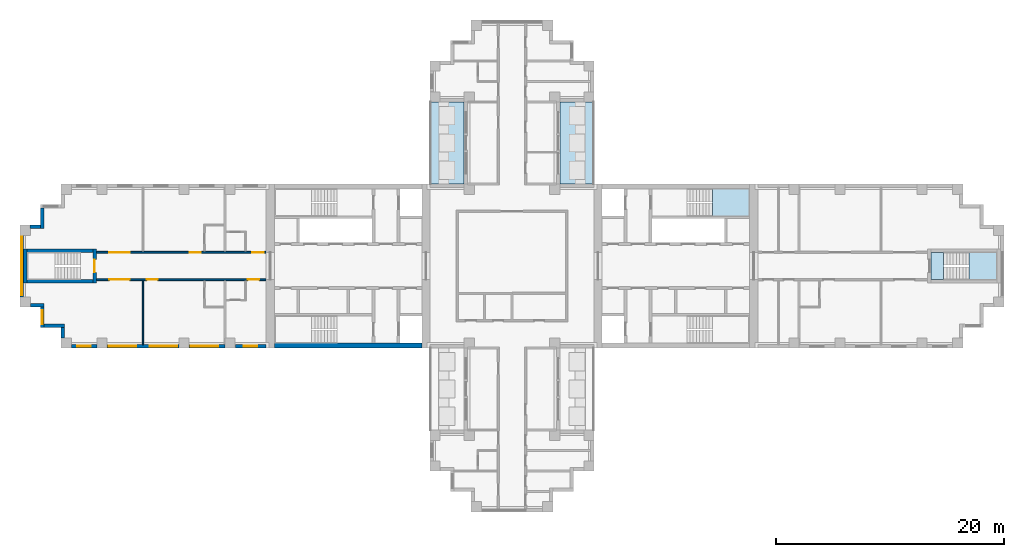
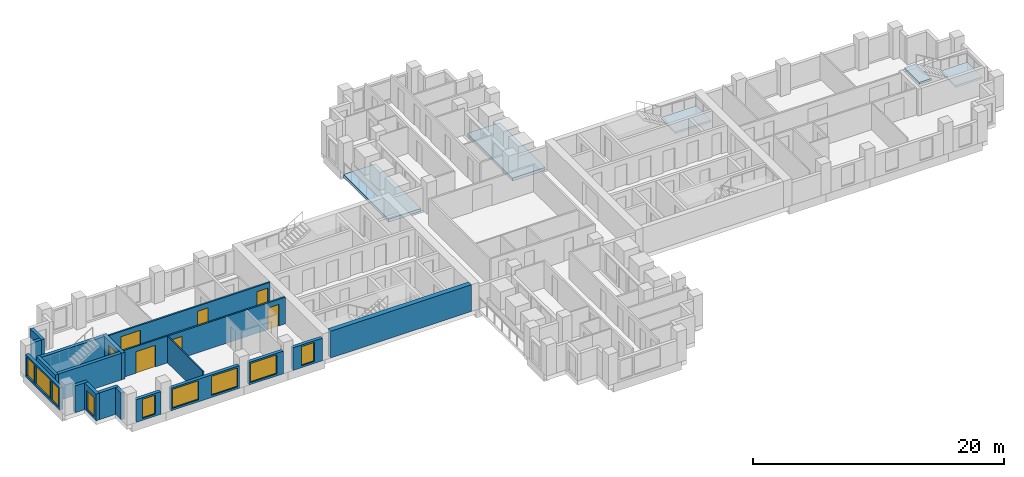
# One storey, part 2 of 11: 19 walls, 9 windows, 7 doors, 5 slabs, 16 openings, 2 elements without a shape of their own.
"""IFC4 building model written with IfcOpenShell, lengths in metres."""

import ifcopenshell
import ifcopenshell.guid

model = None  # the IFC model being written
_history = None  # IfcOwnerHistory: only IFC2X3 demands one
_inside = {}  # id of a spatial element -> (the spatial element, [elements in it])
_under = {}  # id of a project, library or spatial element -> (it, [spatial elements below it])
_declared = {}  # id of a project -> (the project, [libraries it declares])
_typed = {}  # id of a type object -> (the type object, [elements of that type])
_made_of = {}  # id of a material, layer set ... -> (it, [elements and type objects made of it])


def new_model(schema):
    """Start an empty IFC model of exactly this schema.

    Asked for "IFC4X3", IfcOpenShell would pick the latest addendum, in which some entities
    have other attributes; the version numbers below select the first issue.
    IFC2X3 requires an IfcOwnerHistory on every rooted entity: one is made here for all.
    """
    global model, _history
    if schema == "IFC4X3":
        model = ifcopenshell.file(schema_version=(4, 3, 0, 0))
    else:
        model = ifcopenshell.file(schema=schema)
    _inside.clear()
    _under.clear()
    _declared.clear()
    _typed.clear()
    _made_of.clear()
    _history = None
    if model.schema == "IFC2X3":
        org = make("IfcOrganization", Name="unknown")
        user = make(
            "IfcPersonAndOrganization",
            ThePerson=make("IfcPerson", FamilyName="unknown"),
            TheOrganization=org,
        )
        app = make(
            "IfcApplication",
            ApplicationDeveloper=org,
            Version="unknown",
            ApplicationFullName="unknown",
            ApplicationIdentifier="unknown",
        )
        _history = make(
            "IfcOwnerHistory",
            OwningUser=user,
            OwningApplication=app,
            ChangeAction="ADDED",
            CreationDate=0,
        )
    return model


def make(cls, **values):
    """One entity of the class cls with the attributes given. An attribute that is None is left unset."""
    return model.create_entity(
        cls, **{name: value for name, value in values.items() if value is not None}
    )


def rooted(cls, **values):
    """An entity with a GlobalId (a new one), such as an element, a storey or a relation."""
    return make(cls, GlobalId=ifcopenshell.guid.new(), OwnerHistory=_history, **values)


def si_unit(unit_type, name, prefix=None):
    """IfcSIUnit, for example si_unit("LENGTHUNIT", "METRE", prefix="MILLI")."""
    return make("IfcSIUnit", UnitType=unit_type, Prefix=prefix, Name=name)


def assignment(units):
    """IfcUnitAssignment: the units of a project."""
    return None if units is None else make("IfcUnitAssignment", Units=units)


def point(xyz):
    """IfcCartesianPoint."""
    return None if xyz is None else make("IfcCartesianPoint", Coordinates=xyz)


def direction(xyz):
    """IfcDirection."""
    return None if xyz is None else make("IfcDirection", DirectionRatios=xyz)


def frame(location, z_axis=None, x_axis=None):
    """IfcAxis2Placement3D, a coordinate frame: its origin and axes. An axis left out is left unset."""
    return make(
        "IfcAxis2Placement3D",
        Location=point(location),
        Axis=direction(z_axis),
        RefDirection=direction(x_axis),
    )


def frame_2d(location, x_axis=None):
    """IfcAxis2Placement2D, a coordinate frame in the plane: its origin and x axis."""
    return make(
        "IfcAxis2Placement2D", Location=point(location), RefDirection=direction(x_axis)
    )


def origin():
    """The frame at (0, 0, 0) with its axes left unset."""
    return frame((0.0, 0.0, 0.0))


def place(relative_to, where):
    """IfcLocalPlacement: puts the frame where relative to a parent placement (None: the world)."""
    return make(
        "IfcLocalPlacement", PlacementRelTo=relative_to, RelativePlacement=where
    )


def context(
    kind, dimensions, precision=None, world=None, true_north=None, identifier=None
):
    """IfcGeometricRepresentationContext, for example the 3D "Model" context."""
    return make(
        "IfcGeometricRepresentationContext",
        ContextIdentifier=identifier,
        ContextType=kind,
        CoordinateSpaceDimension=dimensions,
        Precision=precision,
        WorldCoordinateSystem=world,
        TrueNorth=true_north,
    )


def subcontext(parent, identifier, kind, view, scale=None):
    """IfcGeometricRepresentationSubContext, for example "Body" below "Model"."""
    return make(
        "IfcGeometricRepresentationSubContext",
        ContextIdentifier=identifier,
        ContextType=kind,
        ParentContext=parent,
        TargetScale=scale,
        TargetView=view,
    )


def project(units=None, contexts=None):
    """IfcProject with its units and contexts."""
    return rooted(
        "IfcProject",
        Name="project",
        RepresentationContexts=contexts,
        UnitsInContext=assignment(units),
    )


def spatial(cls, under=None, at=None, **own):
    """A site, building, storey or space (cls), placed at a placement, below another one or the project."""
    s = rooted(cls, ObjectPlacement=at, **own)
    if under is not None:
        _under.setdefault(under.id(), (under, []))[1].append(s)
    return s


def polyline(points):
    """IfcPolyline through the points."""
    return make("IfcPolyline", Points=[point(p) for p in points])


def profile(cls, at=None, kind="AREA", **sizes):
    """A parametric profile (cls). Its sizes go by their IFC names, for example OverallWidth=200.0."""
    return make(cls, ProfileType=kind, Position=at, **sizes)


def rectangle(**sizes):
    """IfcRectangleProfileDef."""
    return profile("IfcRectangleProfileDef", **sizes)


def outline(outer, holes=None, kind="AREA"):
    """IfcArbitraryClosedProfileDef: a profile drawn as a closed curve; with holes, ...WithVoids."""
    if holes is None:
        return make("IfcArbitraryClosedProfileDef", ProfileType=kind, OuterCurve=outer)
    return make(
        "IfcArbitraryProfileDefWithVoids",
        ProfileType=kind,
        OuterCurve=outer,
        InnerCurves=holes,
    )


def extrude(swept, where, along, depth):
    """IfcExtrudedAreaSolid: the profile swept, set in the frame where, extruded along a direction by depth."""
    return make(
        "IfcExtrudedAreaSolid",
        SweptArea=swept,
        Position=where,
        ExtrudedDirection=direction(along),
        Depth=depth,
    )


def shape(context_of_items, identifier, shape_type, items):
    """IfcShapeRepresentation: the items that make up one representation, for example the "Body"."""
    return make(
        "IfcShapeRepresentation",
        ContextOfItems=context_of_items,
        RepresentationIdentifier=identifier,
        RepresentationType=shape_type,
        Items=items,
    )


def material(Name=None, Category=None):
    """IfcMaterial."""
    return make("IfcMaterial", Name=Name, Category=Category)


def layer(
    of_material, thickness, ventilated=None, Name=None, Category=None, Priority=None
):
    """IfcMaterialLayer: one layer of a wall or slab, of a material (None: an air gap)."""
    return make(
        "IfcMaterialLayer",
        Material=of_material,
        LayerThickness=thickness,
        IsVentilated=ventilated,
        Name=Name,
        Category=Category,
        Priority=Priority,
    )


def layer_set(layers, Name=None):
    """IfcMaterialLayerSet."""
    return make("IfcMaterialLayerSet", MaterialLayers=layers, LayerSetName=Name)


def made_of(thing, what):
    """Note that an element or type object is made of a material, layer set ...; save() writes the relation."""
    if what is not None:
        _made_of.setdefault(what.id(), (what, []))[1].append(thing)
    return thing


def type_object(cls, material=None, **own):
    """A type object (cls), such as IfcWallType, which elements share."""
    return made_of(rooted(cls, **own), material)


def element(
    cls,
    number,
    at=None,
    inside=None,
    cuts=None,
    type_object=None,
    material=None,
    context=None,
    identifier="Body",
    shape_type=None,
    held_by="IfcProductDefinitionShape",
    body=None,
    shapes=None,
    **own,
):
    """One element of the class cls, such as IfcWall. Its Tag is "e" and its number.

    at: its placement. inside: the storey or other place that contains it. cuts: it is an
    opening in that element (IfcRelVoidsElement). A single representation is given by context,
    identifier, shape_type and body (its items); several are given by shapes. held_by: the class
    of the entity that holds the representations. save() writes the other relations.
    """
    e = rooted(cls, Tag="e%d" % number, ObjectPlacement=at, **own)
    if body is not None:
        shapes = [shape(context, identifier, shape_type, body)]
    if shapes is not None:
        e.Representation = make(held_by, Representations=shapes)
    if inside is not None:
        _inside.setdefault(inside.id(), (inside, []))[1].append(e)
    if cuts is not None:
        rooted(
            "IfcRelVoidsElement", RelatingBuildingElement=cuts, RelatedOpeningElement=e
        )
    if type_object is not None:
        _typed.setdefault(type_object.id(), (type_object, []))[1].append(e)
    return made_of(e, material)


def fill(opening, filler):
    """IfcRelFillsElement: the door or window that sits in an opening."""
    return rooted(
        "IfcRelFillsElement",
        RelatingOpeningElement=opening,
        RelatedBuildingElement=filler,
    )


def aggregate(whole, parts):
    """IfcRelAggregates: a whole, such as a stair, and the parts it consists of."""
    return rooted("IfcRelAggregates", RelatingObject=whole, RelatedObjects=parts)


def save(model, path):
    """Write the relations noted so far, then the file.

    IfcRelAggregates (storeys below a building ...), IfcRelContainedInSpatialStructure (elements
    in a storey), IfcRelDefinesByType, IfcRelAssociatesMaterial and IfcRelDeclares: one each for
    every whole, place, type object, material and project.
    """
    for whole, parts in _under.values():
        aggregate(whole, parts)
    for where, things in _inside.values():
        rooted(
            "IfcRelContainedInSpatialStructure",
            RelatedElements=things,
            RelatingStructure=where,
        )
    for kind, things in _typed.values():
        rooted("IfcRelDefinesByType", RelatedObjects=things, RelatingType=kind)
    for what, things in _made_of.values():
        rooted("IfcRelAssociatesMaterial", RelatedObjects=things, RelatingMaterial=what)
    for by, libraries in _declared.values():
        rooted("IfcRelDeclares", RelatingContext=by, RelatedDefinitions=libraries)
    model.write(path)


model = new_model("IFC4")

# Units and contexts
model_context = context("Model", 3, precision=1e-05, world=origin(), true_north=direction((0.0, 1.0)))
body_context = subcontext(model_context, "Body", "Model", "MODEL_VIEW")
ifc_project = project(units=[si_unit("LENGTHUNIT", "METRE"), si_unit("AREAUNIT", "SQUARE_METRE"), si_unit("VOLUMEUNIT", "CUBIC_METRE"), si_unit("PLANEANGLEUNIT", "RADIAN"), si_unit("MASSUNIT", "GRAM", prefix="KILO")], contexts=[model_context])

# Site, building, storey
site_placement = place(None, origin())
site = spatial("IfcSite", under=ifc_project, at=site_placement, CompositionType="ELEMENT")
building_placement = place(site_placement, origin())
building = spatial("IfcBuilding", under=site, at=building_placement, Name="Fustian Cross Tower", CompositionType="ELEMENT")
storey_placement = place(building_placement, frame((0.0, 0.0, 126.300048828125)))
storey = spatial("IfcBuildingStorey", under=building, at=storey_placement, Name="L39", CompositionType="ELEMENT", Elevation=126.300048828125)

# Slabs
ifc_material_1 = material(Name="Concrete C40/50", Category="concrete")
ifc_layer_1 = layer(ifc_material_1, 0.300048828125)
ifc_layer_set_1 = layer_set([ifc_layer_1], Name="Concrete C40/50")
slab_type_1 = type_object("IfcSlabType", Name="BS1 BALCONY SLAB 300", PredefinedType="FLOOR", material=ifc_layer_set_1)
slab_1_placement = place(storey_placement, frame((0.0, 0.0, -0.300048828125)))
element("IfcSlab", 1, at=slab_1_placement, inside=storey, type_object=slab_type_1, Name="Balcony slab", PredefinedType="FLOOR", context=body_context, shape_type="SweptSolid", body=[
    extrude(outline(polyline([(4.199951171875, 7.199951171875), (7.199951171875, 7.199951171875), (7.199951171875, 14.39990234375), (4.199951171875, 14.39990234375), (4.199951171875, 7.199951171875)])), origin(), (0.0, 0.0, 1.0), 0.300048828125),
])
slab_2_placement = place(storey_placement, frame((0.0, 0.0, -0.300048828125)))
element("IfcSlab", 2, at=slab_2_placement, inside=storey, type_object=slab_type_1, Name="Balcony slab", PredefinedType="FLOOR", context=body_context, shape_type="SweptSolid", body=[
    extrude(outline(polyline([(-7.199951171875, 7.199951171875), (-4.199951171875, 7.199951171875), (-4.199951171875, 14.39990234375), (-7.199951171875, 14.39990234375), (-7.199951171875, 7.199951171875)])), origin(), (0.0, 0.0, 1.0), 0.300048828125),
])

# Stair, slab
ifc_material_2 = material(Name="Concrete C50/60", Category="concrete")
stair_type_1 = type_object("IfcStairType", Name="STAIR 1150 HALF TURN", PredefinedType="HALF_TURN_STAIR", material=ifc_material_2)
stair_1_placement = place(storey_placement, origin())
stair_1 = element("IfcStair", 3, at=stair_1_placement, inside=storey, type_object=stair_type_1, Name="Stair ST1", PredefinedType="HALF_TURN_STAIR")
ifc_material_3 = material(Name="Concrete C50/60", Category="concrete")
ifc_layer_2 = layer(ifc_material_3, 0.199951171875)
ifc_layer_set_2 = layer_set([ifc_layer_2], Name="Concrete C50/60")
slab_type_2 = type_object("IfcSlabType", Name="STAIR LANDING", PredefinedType="LANDING", material=ifc_layer_set_2)
slab_3_placement = place(storey_placement, frame((0.0, 0.0, 1.300048828125)))
slab_3 = element("IfcSlab", 4, at=slab_3_placement, type_object=slab_type_2, Name="ST1 landing 1", PredefinedType="LANDING", context=body_context, shape_type="SweptSolid", body=[
    extrude(outline(polyline([(17.590087890625, 4.39990234375), (20.85009765625, 4.39990234375), (20.85009765625, 6.75), (17.590087890625, 6.75), (17.590087890625, 4.39990234375)])), origin(), (0.0, 0.0, 1.0), 0.199951171875),
])
aggregate(stair_1, [slab_3])

# Stair, slabs
ifc_material_4 = material(Name="Concrete C50/60", Category="concrete")
stair_type_2 = type_object("IfcStairType", Name="STAIR 1100 HALF TURN", PredefinedType="HALF_TURN_STAIR", material=ifc_material_4)
stair_2_placement = place(storey_placement, origin())
stair_2 = element("IfcStair", 5, at=stair_2_placement, inside=storey, type_object=stair_type_2, Name="Stair ST8", PredefinedType="HALF_TURN_STAIR")
slab_4_placement = place(storey_placement, frame((0.0, 0.0, 1.300048828125)))
slab_4 = element("IfcSlab", 6, at=slab_4_placement, type_object=slab_type_2, Name="ST8 landing 1", PredefinedType="LANDING", context=body_context, shape_type="SweptSolid", body=[
    extrude(outline(polyline([(40.139892578125, -1.199951171875), (42.60009765625, -1.199951171875), (42.60009765625, 1.199951171875), (40.139892578125, 1.199951171875), (40.139892578125, -1.199951171875)])), origin(), (0.0, 0.0, 1.0), 0.199951171875),
])
slab_5_placement = place(storey_placement, frame((0.0, 0.0, 2.800048828125)))
slab_5 = element("IfcSlab", 7, at=slab_5_placement, type_object=slab_type_2, Name="ST8 landing 2", PredefinedType="LANDING", context=body_context, shape_type="SweptSolid", body=[
    extrude(outline(polyline([(36.800048828125, -1.199951171875), (37.89990234375, -1.199951171875), (37.89990234375, 1.199951171875), (36.800048828125, 1.199951171875), (36.800048828125, -1.199951171875)])), origin(), (0.0, 0.0, 1.0), 0.199951171875),
])
aggregate(stair_2, [slab_4, slab_5])

# Wall, openings, doors
ifc_material_5 = material(Name="Plasterboard on steel stud", Category="steel")
ifc_layer_3 = layer(ifc_material_5, 0.14990234375)
ifc_layer_set_3 = layer_set([ifc_layer_3], Name="Plasterboard on steel stud")
wall_type_1 = type_object("IfcWallType", Name="COMPARTMENT WALL 150 EI 60", PredefinedType="PARTITIONING", material=ifc_layer_set_3)
wall_1_placement = place(storey_placement, frame((-36.5, -1.199951171875, 0.0), z_axis=(0.0, 0.0, 1.0), x_axis=(1.0, 0.0, 0.0)))
wall_1 = element("IfcWall", 8, at=wall_1_placement, inside=storey, type_object=wall_type_1, Name="Partition 1", PredefinedType="PARTITIONING", context=body_context, shape_type="SweptSolid", body=[
    extrude(rectangle(XDim=14.89990234375, YDim=0.14990234375, at=frame_2d((7.449951171875, 0.0))), origin(), (0.0, 0.0, 1.0), 2.599853515625),
])
opening_1_placement = place(wall_1_placement, frame((13.300048828125, 0.0, 0.0)))
opening_1 = element("IfcOpeningElement", 9, at=opening_1_placement, cuts=wall_1, Name="Opening D18024", PredefinedType="OPENING", context=body_context, shape_type="SweptSolid", body=[
    extrude(rectangle(XDim=1.0, YDim=2.10009765625, at=frame_2d((0.5, 1.050048828125))), frame((0.0, 0.0849609375, 0.0), z_axis=(0.0, -1.0, 0.0), x_axis=(1.0, 0.0, 0.0)), (0.0, 0.0, 1.0), 0.169921875),
])
opening_2_placement = place(wall_1_placement, frame((4.409912109375, 0.0, 0.0)))
opening_2 = element("IfcOpeningElement", 10, at=opening_2_placement, cuts=wall_1, Name="Opening D18026", PredefinedType="OPENING", context=body_context, shape_type="SweptSolid", body=[
    extrude(rectangle(XDim=1.0, YDim=2.10009765625, at=frame_2d((0.5, 1.050048828125))), frame((0.0, 0.0849609375, 0.0), z_axis=(0.0, -1.0, 0.0), x_axis=(1.0, 0.0, 0.0)), (0.0, 0.0, 1.0), 0.169921875),
])
opening_3_placement = place(wall_1_placement, frame((1.14990234375, 0.0, 0.0)))
opening_3 = element("IfcOpeningElement", 11, at=opening_3_placement, cuts=wall_1, Name="Opening D18027", PredefinedType="OPENING", context=body_context, shape_type="SweptSolid", body=[
    extrude(rectangle(XDim=1.800048828125, YDim=2.10009765625, at=frame_2d((0.89990234375, 1.050048828125))), frame((0.0, 0.0849609375, 0.0), z_axis=(0.0, -1.0, 0.0), x_axis=(1.0, 0.0, 0.0)), (0.0, 0.0, 1.0), 0.169921875),
])
ifc_material_6 = material(Name="Timber fire door set", Category="wood")
door_type_1 = type_object("IfcDoorType", Name="FIRE DOUBLE DOOR 1800 FD30S", OperationType="DOUBLE_DOOR_DOUBLE_SWING", PredefinedType="DOOR", material=ifc_material_6)
door_1_placement = place(opening_3_placement, origin())
door_1 = element("IfcDoor", 12, at=door_1_placement, inside=storey, type_object=door_type_1, Name="Door D18027", OperationType="DOUBLE_DOOR_DOUBLE_SWING", OverallHeight=2.10009765625, OverallWidth=1.800048828125, PredefinedType="DOOR", context=body_context, shape_type="SweptSolid", body=[
    extrude(rectangle(XDim=1.800048828125, YDim=2.10009765625, at=frame_2d((0.89990234375, 1.050048828125))), frame((0.0, 0.02490234375, 0.0), z_axis=(0.0, -1.0, 0.0), x_axis=(1.0, 0.0, 0.0)), (0.0, 0.0, 1.0), 0.050048828125),
])
fill(opening_3, door_1)
ifc_material_7 = material(Name="Timber fire door set", Category="wood")
door_type_2 = type_object("IfcDoorType", Name="FIRE SWING DOOR 1000 FD30S", OperationType="SINGLE_SWING_LEFT", PredefinedType="DOOR", material=ifc_material_7)
door_2_placement = place(opening_1_placement, frame((1.0, 0.0, 0.0), z_axis=(0.0, 0.0, 1.0), x_axis=(-1.0, 0.0, 0.0)))
door_2 = element("IfcDoor", 13, at=door_2_placement, inside=storey, type_object=door_type_2, Name="Door D18024", OperationType="SINGLE_SWING_RIGHT", OverallHeight=2.10009765625, OverallWidth=1.0, PredefinedType="DOOR", context=body_context, shape_type="SweptSolid", body=[
    extrude(rectangle(XDim=1.0, YDim=2.10009765625, at=frame_2d((0.5, 1.050048828125))), frame((0.0, 0.02490234375, 0.0), z_axis=(0.0, -1.0, 0.0), x_axis=(1.0, 0.0, 0.0)), (0.0, 0.0, 1.0), 0.050048828125),
])
fill(opening_1, door_2)
door_3_placement = place(opening_2_placement, frame((1.0, 0.0, 0.0), z_axis=(0.0, 0.0, 1.0), x_axis=(-1.0, 0.0, 0.0)))
door_3 = element("IfcDoor", 14, at=door_3_placement, inside=storey, type_object=door_type_2, Name="Door D18026", OperationType="SINGLE_SWING_RIGHT", OverallHeight=2.10009765625, OverallWidth=1.0, PredefinedType="DOOR", context=body_context, shape_type="SweptSolid", body=[
    extrude(rectangle(XDim=1.0, YDim=2.10009765625, at=frame_2d((0.5, 1.050048828125))), frame((0.0, 0.02490234375, 0.0), z_axis=(0.0, -1.0, 0.0), x_axis=(1.0, 0.0, 0.0)), (0.0, 0.0, 1.0), 0.050048828125),
])
fill(opening_2, door_3)

wall_2_placement = place(storey_placement, frame((-36.5, 1.199951171875, 0.0), z_axis=(0.0, 0.0, 1.0), x_axis=(1.0, 0.0, 0.0)))
wall_2 = element("IfcWall", 15, at=wall_2_placement, inside=storey, type_object=wall_type_1, Name="Partition 2", PredefinedType="PARTITIONING", context=body_context, shape_type="SweptSolid", body=[
    extrude(rectangle(XDim=14.89990234375, YDim=0.14990234375, at=frame_2d((7.449951171875, 0.0))), origin(), (0.0, 0.0, 1.0), 2.599853515625),
])
opening_4_placement = place(wall_2_placement, frame((13.699951171875, 0.0, 0.0)))
opening_4 = element("IfcOpeningElement", 16, at=opening_4_placement, cuts=wall_2, Name="Opening D18029", PredefinedType="OPENING", context=body_context, shape_type="SweptSolid", body=[
    extrude(rectangle(XDim=1.0, YDim=2.10009765625, at=frame_2d((0.5, 1.050048828125))), frame((0.0, 0.0849609375, 0.0), z_axis=(0.0, -1.0, 0.0), x_axis=(1.0, 0.0, 0.0)), (0.0, 0.0, 1.0), 0.169921875),
])
opening_5_placement = place(wall_2_placement, frame((8.18994140625, 0.0, 0.0)))
opening_5 = element("IfcOpeningElement", 17, at=opening_5_placement, cuts=wall_2, Name="Opening D18031", PredefinedType="OPENING", context=body_context, shape_type="SweptSolid", body=[
    extrude(rectangle(XDim=1.0, YDim=2.10009765625, at=frame_2d((0.5, 1.050048828125))), frame((0.0, 0.0849609375, 0.0), z_axis=(0.0, -1.0, 0.0), x_axis=(1.0, 0.0, 0.0)), (0.0, 0.0, 1.0), 0.169921875),
])
opening_6_placement = place(wall_2_placement, frame((1.14990234375, 0.0, 0.0)))
opening_6 = element("IfcOpeningElement", 18, at=opening_6_placement, cuts=wall_2, Name="Opening D18032", PredefinedType="OPENING", context=body_context, shape_type="SweptSolid", body=[
    extrude(rectangle(XDim=1.800048828125, YDim=2.10009765625, at=frame_2d((0.89990234375, 1.050048828125))), frame((0.0, 0.0849609375, 0.0), z_axis=(0.0, -1.0, 0.0), x_axis=(1.0, 0.0, 0.0)), (0.0, 0.0, 1.0), 0.169921875),
])
door_4_placement = place(opening_6_placement, frame((1.800048828125, 0.0, 0.0), z_axis=(0.0, 0.0, 1.0), x_axis=(-1.0, 0.0, 0.0)))
door_4 = element("IfcDoor", 19, at=door_4_placement, inside=storey, type_object=door_type_1, Name="Door D18032", OperationType="DOUBLE_DOOR_DOUBLE_SWING", OverallHeight=2.10009765625, OverallWidth=1.800048828125, PredefinedType="DOOR", context=body_context, shape_type="SweptSolid", body=[
    extrude(rectangle(XDim=1.800048828125, YDim=2.10009765625, at=frame_2d((0.89990234375, 1.050048828125))), frame((0.0, 0.02490234375, 0.0), z_axis=(0.0, -1.0, 0.0), x_axis=(1.0, 0.0, 0.0)), (0.0, 0.0, 1.0), 0.050048828125),
])
fill(opening_6, door_4)
door_5_placement = place(opening_4_placement, origin())
door_5 = element("IfcDoor", 20, at=door_5_placement, inside=storey, type_object=door_type_2, Name="Door D18029", OperationType="SINGLE_SWING_RIGHT", OverallHeight=2.10009765625, OverallWidth=1.0, PredefinedType="DOOR", context=body_context, shape_type="SweptSolid", body=[
    extrude(rectangle(XDim=1.0, YDim=2.10009765625, at=frame_2d((0.5, 1.050048828125))), frame((0.0, 0.02490234375, 0.0), z_axis=(0.0, -1.0, 0.0), x_axis=(1.0, 0.0, 0.0)), (0.0, 0.0, 1.0), 0.050048828125),
])
fill(opening_4, door_5)
door_6_placement = place(opening_5_placement, origin())
door_6 = element("IfcDoor", 21, at=door_6_placement, inside=storey, type_object=door_type_2, Name="Door D18031", OperationType="SINGLE_SWING_RIGHT", OverallHeight=2.10009765625, OverallWidth=1.0, PredefinedType="DOOR", context=body_context, shape_type="SweptSolid", body=[
    extrude(rectangle(XDim=1.0, YDim=2.10009765625, at=frame_2d((0.5, 1.050048828125))), frame((0.0, 0.02490234375, 0.0), z_axis=(0.0, -1.0, 0.0), x_axis=(1.0, 0.0, 0.0)), (0.0, 0.0, 1.0), 0.050048828125),
])
fill(opening_5, door_6)

# Walls
ifc_material_8 = material(Name="Concrete C60/75", Category="concrete")
ifc_layer_4 = layer(ifc_material_8, 0.449951171875)
ifc_layer_set_4 = layer_set([ifc_layer_4], Name="Concrete C60/75")
wall_type_2 = type_object("IfcWallType", Name="CORE FACADE WALL 450 C60/75", PredefinedType="SHEAR", material=ifc_layer_set_4)
wall_3_placement = place(storey_placement, frame((-7.89990234375, -6.97509765625, 0.0), z_axis=(0.0, 0.0, 1.0), x_axis=(-1.0, 0.0, 0.0)))
element("IfcWall", 22, at=wall_3_placement, inside=storey, type_object=wall_type_2, Name="Core facade wall", PredefinedType="SHEAR", context=body_context, shape_type="SweptSolid", body=[
    extrude(rectangle(XDim=12.9501953125, YDim=0.449951171875, at=frame_2d((6.47509765625, 0.0))), origin(), (0.0, 0.0, 1.0), 2.599853515625),
])
ifc_material_9 = material(Name="Plasterboard on steel stud", Category="steel")
ifc_layer_5 = layer(ifc_material_9, 0.10009765625)
ifc_layer_set_5 = layer_set([ifc_layer_5], Name="Plasterboard on steel stud")
wall_type_3 = type_object("IfcWallType", Name="PARTITION 100 STUD", PredefinedType="PARTITIONING", material=ifc_layer_set_5)
wall_4_placement = place(storey_placement, frame((-32.39990234375, -6.89990234375, 0.0), z_axis=(0.0, 0.0, 1.0), x_axis=(0.0, 1.0, 0.0)))
element("IfcWall", 23, at=wall_4_placement, inside=storey, type_object=wall_type_3, Name="Partition 3", PredefinedType="PARTITIONING", context=body_context, shape_type="SweptSolid", body=[
    extrude(rectangle(XDim=5.625, YDim=0.10009765625, at=frame_2d((2.8125, 0.0))), origin(), (0.0, 0.0, 1.0), 2.599853515625),
])

# Wall, opening, door
ifc_material_10 = material(Name="Concrete C50/60", Category="concrete")
ifc_layer_6 = layer(ifc_material_10, 0.300048828125)
ifc_layer_set_6 = layer_set([ifc_layer_6], Name="Concrete C50/60")
wall_type_4 = type_object("IfcWallType", Name="STAIR ENCLOSURE WALL 300 C50/60", PredefinedType="SHEAR", material=ifc_layer_set_6)
wall_5_placement = place(storey_placement, frame((-36.64990234375, -1.5, 0.0), z_axis=(0.0, 0.0, 1.0), x_axis=(0.0, 1.0, 0.0)))
wall_5 = element("IfcWall", 24, at=wall_5_placement, inside=storey, type_object=wall_type_4, Name="Stair enclosure wall", PredefinedType="SHEAR", context=body_context, shape_type="SweptSolid", body=[
    extrude(rectangle(XDim=3.0, YDim=0.300048828125, at=frame_2d((1.5, 0.0))), origin(), (0.0, 0.0, 1.0), 2.599853515625),
])
opening_7_placement = place(wall_5_placement, frame((0.949951171875, 0.0, 0.0)))
opening_7 = element("IfcOpeningElement", 25, at=opening_7_placement, cuts=wall_5, Name="Opening CD-16-36", PredefinedType="OPENING", context=body_context, shape_type="SweptSolid", body=[
    extrude(rectangle(XDim=1.10009765625, YDim=2.10009765625, at=frame_2d((0.550048828125, 1.050048828125))), frame((0.0, 0.159912109375, 0.0), z_axis=(0.0, -1.0, 0.0), x_axis=(1.0, 0.0, 0.0)), (0.0, 0.0, 1.0), 0.320068359375),
])
ifc_material_11 = material(Name="Steel", Category="steel")
door_type_3 = type_object("IfcDoorType", Name="FIRE DOOR FD60S 1100X2100", OperationType="SINGLE_SWING_LEFT", PredefinedType="DOOR", material=ifc_material_11)
door_7_placement = place(opening_7_placement, origin())
door_7 = element("IfcDoor", 26, at=door_7_placement, inside=storey, type_object=door_type_3, Name="Core door CD-16-36", OperationType="SINGLE_SWING_LEFT", OverallHeight=2.10009765625, OverallWidth=1.10009765625, PredefinedType="DOOR", context=body_context, shape_type="SweptSolid", body=[
    extrude(rectangle(XDim=1.10009765625, YDim=2.10009765625, at=frame_2d((0.550048828125, 1.050048828125))), frame((0.0, 0.02490234375, 0.0), z_axis=(0.0, -1.0, 0.0), x_axis=(1.0, 0.0, 0.0)), (0.0, 0.0, 1.0), 0.050048828125),
])
fill(opening_7, door_7)

# Walls
wall_6_placement = place(storey_placement, frame((-42.75, -1.5, 0.0), z_axis=(0.0, 0.0, 1.0), x_axis=(0.0, 1.0, 0.0)))
element("IfcWall", 27, at=wall_6_placement, inside=storey, type_object=wall_type_4, Name="Stair enclosure wall", PredefinedType="SHEAR", context=body_context, shape_type="SweptSolid", body=[
    extrude(rectangle(XDim=3.0, YDim=0.300048828125, at=frame_2d((1.5, 0.0))), origin(), (0.0, 0.0, 1.0), 2.599853515625),
])
for number, where, z_axis, x_axis, name in (
    (28, (-36.800048828125, -1.35009765625, 0.0), (0.0, 0.0, 1.0), (-1.0, 0.0, 0.0), "Stair enclosure wall"),
    (29, (-36.800048828125, 1.35009765625, 0.0), (0.0, 0.0, 1.0), (-1.0, 0.0, 0.0), "Stair enclosure wall"),
):
    element("IfcWall", number, at=place(storey_placement, frame(where, z_axis=z_axis, x_axis=x_axis)), inside=storey, type_object=wall_type_4, Name=name, PredefinedType="SHEAR", context=body_context, shape_type="SweptSolid", body=[
        extrude(rectangle(XDim=5.800048828125, YDim=0.300048828125, at=frame_2d((2.89990234375, 0.0))), origin(), (0.0, 0.0, 1.0), 2.599853515625),
    ])
ifc_material_12 = material(Name="Dark aluminium cladding on insulated backing wall", Category="aluminium")
ifc_layer_7 = layer(ifc_material_12, 0.300048828125)
ifc_layer_set_7 = layer_set([ifc_layer_7], Name="Dark aluminium cladding on insulated backing wall")
wall_type_5 = type_object("IfcWallType", Name="XW1 EXTERNAL WALL 300", PredefinedType="SOLIDWALL", material=ifc_layer_set_7)
wall_7_placement = place(storey_placement, frame((-41.25, 5.10009765625, 0.0), z_axis=(0.0, 0.0, 1.0), x_axis=(0.0, -1.0, 0.0)))
element("IfcWall", 30, at=wall_7_placement, inside=storey, type_object=wall_type_5, Name="External wall", PredefinedType="SOLIDWALL", context=body_context, shape_type="SweptSolid", body=[
    extrude(rectangle(XDim=1.800048828125, YDim=0.300048828125, at=frame_2d((0.89990234375, 0.0))), origin(), (0.0, 0.0, 1.0), 2.599853515625),
])
wall_8_placement = place(storey_placement, frame((-41.39990234375, 3.449951171875, 0.0), z_axis=(0.0, 0.0, 1.0), x_axis=(-1.0, 0.0, 0.0)))
element("IfcWall", 31, at=wall_8_placement, inside=storey, type_object=wall_type_5, Name="External wall", PredefinedType="SOLIDWALL", context=body_context, shape_type="SweptSolid", body=[
    extrude(rectangle(XDim=0.900146484375, YDim=0.300048828125, at=frame_2d((0.4501953125, 0.0))), origin(), (0.0, 0.0, 1.0), 2.599853515625),
])

# Wall, openings, windows
wall_9_placement = place(storey_placement, frame((-43.050048828125, 2.699951171875, 0.0), z_axis=(0.0, 0.0, 1.0), x_axis=(0.0, -1.0, 0.0)))
wall_9 = element("IfcWall", 32, at=wall_9_placement, inside=storey, type_object=wall_type_5, Name="External wall", PredefinedType="SOLIDWALL", context=body_context, shape_type="SweptSolid", body=[
    extrude(rectangle(XDim=5.39990234375, YDim=0.300048828125, at=frame_2d((2.699951171875, 0.0))), origin(), (0.0, 0.0, 1.0), 2.199951171875),
])
opening_8_placement = place(wall_9_placement, frame((1.5, 0.0, 0.199951171875)))
opening_8 = element("IfcOpeningElement", 33, at=opening_8_placement, cuts=wall_9, Name="Opening WN1", PredefinedType="OPENING", context=body_context, shape_type="SweptSolid", body=[
    extrude(rectangle(XDim=2.39990234375, YDim=1.85009765625, at=frame_2d((1.199951171875, 0.925048828125))), frame((0.0, 0.159912109375, 0.0), z_axis=(0.0, -1.0, 0.0), x_axis=(1.0, 0.0, 0.0)), (0.0, 0.0, 1.0), 0.320068359375),
])
opening_9_placement = place(wall_9_placement, frame((0.14990234375, 0.0, 0.199951171875)))
opening_9 = element("IfcOpeningElement", 34, at=opening_9_placement, cuts=wall_9, Name="Opening WN3", PredefinedType="OPENING", context=body_context, shape_type="SweptSolid", body=[
    extrude(rectangle(XDim=1.199951171875, YDim=1.85009765625, at=frame_2d((0.60009765625, 0.925048828125))), frame((0.0, 0.159912109375, 0.0), z_axis=(0.0, -1.0, 0.0), x_axis=(1.0, 0.0, 0.0)), (0.0, 0.0, 1.0), 0.320068359375),
])
opening_10_placement = place(wall_9_placement, frame((4.050048828125, 0.0, 0.199951171875)))
opening_10 = element("IfcOpeningElement", 35, at=opening_10_placement, cuts=wall_9, Name="Opening WN3", PredefinedType="OPENING", context=body_context, shape_type="SweptSolid", body=[
    extrude(rectangle(XDim=1.199951171875, YDim=1.85009765625, at=frame_2d((0.60009765625, 0.925048828125))), frame((0.0, 0.159912109375, 0.0), z_axis=(0.0, -1.0, 0.0), x_axis=(1.0, 0.0, 0.0)), (0.0, 0.0, 1.0), 0.320068359375),
])
ifc_material_13 = material(Name="Dark anodised aluminium and double glazing", Category="aluminium")
window_type_1 = type_object("IfcWindowType", Name="WN1 WINDOW 2400X1850", PartitioningType="SINGLE_PANEL", PredefinedType="WINDOW", material=ifc_material_13)
window_1_placement = place(opening_8_placement, origin())
window_1 = element("IfcWindow", 36, at=window_1_placement, inside=storey, type_object=window_type_1, Name="Window", OverallHeight=1.85009765625, OverallWidth=2.39990234375, PartitioningType="SINGLE_PANEL", PredefinedType="WINDOW", context=body_context, shape_type="SweptSolid", body=[
    extrude(rectangle(XDim=2.39990234375, YDim=1.85009765625, at=frame_2d((1.199951171875, 0.925048828125))), frame((0.0, 0.030029296875, 0.0), z_axis=(0.0, -1.0, 0.0), x_axis=(1.0, 0.0, 0.0)), (0.0, 0.0, 1.0), 0.06005859375),
])
fill(opening_8, window_1)
ifc_material_14 = material(Name="Dark anodised aluminium and double glazing", Category="aluminium")
window_type_2 = type_object("IfcWindowType", Name="WN3 WINDOW 1200X1850", PartitioningType="SINGLE_PANEL", PredefinedType="WINDOW", material=ifc_material_14)
window_2_placement = place(opening_9_placement, origin())
window_2 = element("IfcWindow", 37, at=window_2_placement, inside=storey, type_object=window_type_2, Name="Window", OverallHeight=1.85009765625, OverallWidth=1.199951171875, PartitioningType="SINGLE_PANEL", PredefinedType="WINDOW", context=body_context, shape_type="SweptSolid", body=[
    extrude(rectangle(XDim=1.199951171875, YDim=1.85009765625, at=frame_2d((0.60009765625, 0.925048828125))), frame((0.0, 0.030029296875, 0.0), z_axis=(0.0, -1.0, 0.0), x_axis=(1.0, 0.0, 0.0)), (0.0, 0.0, 1.0), 0.06005859375),
])
fill(opening_9, window_2)
window_3_placement = place(opening_10_placement, origin())
window_3 = element("IfcWindow", 38, at=window_3_placement, inside=storey, type_object=window_type_2, Name="Window", OverallHeight=1.85009765625, OverallWidth=1.199951171875, PartitioningType="SINGLE_PANEL", PredefinedType="WINDOW", context=body_context, shape_type="SweptSolid", body=[
    extrude(rectangle(XDim=1.199951171875, YDim=1.85009765625, at=frame_2d((0.60009765625, 0.925048828125))), frame((0.0, 0.030029296875, 0.0), z_axis=(0.0, -1.0, 0.0), x_axis=(1.0, 0.0, 0.0)), (0.0, 0.0, 1.0), 0.06005859375),
])
fill(opening_10, window_3)

# Wall
wall_10_placement = place(storey_placement, frame((-42.300048828125, -3.449951171875, 0.0), z_axis=(0.0, 0.0, 1.0), x_axis=(1.0, 0.0, 0.0)))
element("IfcWall", 39, at=wall_10_placement, inside=storey, type_object=wall_type_5, Name="External wall", PredefinedType="SOLIDWALL", context=body_context, shape_type="SweptSolid", body=[
    extrude(rectangle(XDim=1.199951171875, YDim=0.300048828125, at=frame_2d((0.60009765625, 0.0))), origin(), (0.0, 0.0, 1.0), 2.599853515625),
])

# Wall, opening, window
wall_11_placement = place(storey_placement, frame((-41.25, -3.60009765625, 0.0), z_axis=(0.0, 0.0, 1.0), x_axis=(0.0, -1.0, 0.0)))
wall_11 = element("IfcWall", 40, at=wall_11_placement, inside=storey, type_object=wall_type_5, Name="External wall", PredefinedType="SOLIDWALL", context=body_context, shape_type="SweptSolid", body=[
    extrude(rectangle(XDim=1.7998046875, YDim=0.300048828125, at=frame_2d((0.89990234375, 0.0))), origin(), (0.0, 0.0, 1.0), 2.599853515625),
])
opening_11_placement = place(wall_11_placement, frame((0.300048828125, 0.0, 0.199951171875)))
opening_11 = element("IfcOpeningElement", 41, at=opening_11_placement, cuts=wall_11, Name="Opening WN3", PredefinedType="OPENING", context=body_context, shape_type="SweptSolid", body=[
    extrude(rectangle(XDim=1.199951171875, YDim=1.85009765625, at=frame_2d((0.60009765625, 0.925048828125))), frame((0.0, 0.159912109375, 0.0), z_axis=(0.0, -1.0, 0.0), x_axis=(1.0, 0.0, 0.0)), (0.0, 0.0, 1.0), 0.320068359375),
])
window_4_placement = place(opening_11_placement, origin())
window_4 = element("IfcWindow", 42, at=window_4_placement, inside=storey, type_object=window_type_2, Name="Window", OverallHeight=1.85009765625, OverallWidth=1.199951171875, PartitioningType="SINGLE_PANEL", PredefinedType="WINDOW", context=body_context, shape_type="SweptSolid", body=[
    extrude(rectangle(XDim=1.199951171875, YDim=1.85009765625, at=frame_2d((0.60009765625, 0.925048828125))), frame((0.0, 0.030029296875, 0.0), z_axis=(0.0, -1.0, 0.0), x_axis=(1.0, 0.0, 0.0)), (0.0, 0.0, 1.0), 0.06005859375),
])
fill(opening_11, window_4)

# Walls
wall_12_placement = place(storey_placement, frame((-41.10009765625, -5.25, 0.0), z_axis=(0.0, 0.0, 1.0), x_axis=(1.0, 0.0, 0.0)))
element("IfcWall", 43, at=wall_12_placement, inside=storey, type_object=wall_type_5, Name="External wall", PredefinedType="SOLIDWALL", context=body_context, shape_type="SweptSolid", body=[
    extrude(rectangle(XDim=1.800048828125, YDim=0.300048828125, at=frame_2d((0.89990234375, 0.0))), origin(), (0.0, 0.0, 1.0), 2.599853515625),
])
wall_13_placement = place(storey_placement, frame((-39.449951171875, -5.39990234375, 0.0), z_axis=(0.0, 0.0, 1.0), x_axis=(0.0, -1.0, 0.0)))
element("IfcWall", 44, at=wall_13_placement, inside=storey, type_object=wall_type_5, Name="External wall", PredefinedType="SOLIDWALL", context=body_context, shape_type="SweptSolid", body=[
    extrude(rectangle(XDim=0.900146484375, YDim=0.300048828125, at=frame_2d((0.4501953125, 0.0))), origin(), (0.0, 0.0, 1.0), 2.599853515625),
])

# Wall, opening, window
wall_14_placement = place(storey_placement, frame((-38.699951171875, -7.050048828125, 0.0), z_axis=(0.0, 0.0, 1.0), x_axis=(1.0, 0.0, 0.0)))
wall_14 = element("IfcWall", 45, at=wall_14_placement, inside=storey, type_object=wall_type_5, Name="External wall", PredefinedType="SOLIDWALL", context=body_context, shape_type="SweptSolid", body=[
    extrude(rectangle(XDim=2.25, YDim=0.300048828125, at=frame_2d((1.125, 0.0))), origin(), (0.0, 0.0, 1.0), 2.199951171875),
])
opening_12_placement = place(wall_14_placement, frame((0.52490234375, 0.0, 0.199951171875)))
opening_12 = element("IfcOpeningElement", 46, at=opening_12_placement, cuts=wall_14, Name="Opening WN3", PredefinedType="OPENING", context=body_context, shape_type="SweptSolid", body=[
    extrude(rectangle(XDim=1.199951171875, YDim=1.85009765625, at=frame_2d((0.60009765625, 0.925048828125))), frame((0.0, 0.159912109375, 0.0), z_axis=(0.0, -1.0, 0.0), x_axis=(1.0, 0.0, 0.0)), (0.0, 0.0, 1.0), 0.320068359375),
])
window_5_placement = place(opening_12_placement, origin())
window_5 = element("IfcWindow", 47, at=window_5_placement, inside=storey, type_object=window_type_2, Name="Window", OverallHeight=1.85009765625, OverallWidth=1.199951171875, PartitioningType="SINGLE_PANEL", PredefinedType="WINDOW", context=body_context, shape_type="SweptSolid", body=[
    extrude(rectangle(XDim=1.199951171875, YDim=1.85009765625, at=frame_2d((0.60009765625, 0.925048828125))), frame((0.0, 0.030029296875, 0.0), z_axis=(0.0, -1.0, 0.0), x_axis=(1.0, 0.0, 0.0)), (0.0, 0.0, 1.0), 0.06005859375),
])
fill(opening_12, window_5)

# Wall, openings, windows
wall_15_placement = place(storey_placement, frame((-35.550048828125, -7.050048828125, 0.0), z_axis=(0.0, 0.0, 1.0), x_axis=(1.0, 0.0, 0.0)))
wall_15 = element("IfcWall", 48, at=wall_15_placement, inside=storey, type_object=wall_type_5, Name="External wall", PredefinedType="SOLIDWALL", context=body_context, shape_type="SweptSolid", body=[
    extrude(rectangle(XDim=6.300048828125, YDim=0.300048828125, at=frame_2d((3.14990234375, 0.0))), origin(), (0.0, 0.0, 1.0), 2.199951171875),
])
opening_13_placement = place(wall_15_placement, frame((0.14990234375, 0.0, 0.199951171875)))
opening_13 = element("IfcOpeningElement", 49, at=opening_13_placement, cuts=wall_15, Name="Opening WN1", PredefinedType="OPENING", context=body_context, shape_type="SweptSolid", body=[
    extrude(rectangle(XDim=2.39990234375, YDim=1.85009765625, at=frame_2d((1.199951171875, 0.925048828125))), frame((0.0, 0.159912109375, 0.0), z_axis=(0.0, -1.0, 0.0), x_axis=(1.0, 0.0, 0.0)), (0.0, 0.0, 1.0), 0.320068359375),
])
opening_14_placement = place(wall_15_placement, frame((3.75, 0.0, 0.199951171875)))
opening_14 = element("IfcOpeningElement", 50, at=opening_14_placement, cuts=wall_15, Name="Opening WN1", PredefinedType="OPENING", context=body_context, shape_type="SweptSolid", body=[
    extrude(rectangle(XDim=2.39990234375, YDim=1.85009765625, at=frame_2d((1.199951171875, 0.925048828125))), frame((0.0, 0.159912109375, 0.0), z_axis=(0.0, -1.0, 0.0), x_axis=(1.0, 0.0, 0.0)), (0.0, 0.0, 1.0), 0.320068359375),
])
window_6_placement = place(opening_13_placement, origin())
window_6 = element("IfcWindow", 51, at=window_6_placement, inside=storey, type_object=window_type_1, Name="Window", OverallHeight=1.85009765625, OverallWidth=2.39990234375, PartitioningType="SINGLE_PANEL", PredefinedType="WINDOW", context=body_context, shape_type="SweptSolid", body=[
    extrude(rectangle(XDim=2.39990234375, YDim=1.85009765625, at=frame_2d((1.199951171875, 0.925048828125))), frame((0.0, 0.030029296875, 0.0), z_axis=(0.0, -1.0, 0.0), x_axis=(1.0, 0.0, 0.0)), (0.0, 0.0, 1.0), 0.06005859375),
])
fill(opening_13, window_6)
window_7_placement = place(opening_14_placement, origin())
window_7 = element("IfcWindow", 52, at=window_7_placement, inside=storey, type_object=window_type_1, Name="Window", OverallHeight=1.85009765625, OverallWidth=2.39990234375, PartitioningType="SINGLE_PANEL", PredefinedType="WINDOW", context=body_context, shape_type="SweptSolid", body=[
    extrude(rectangle(XDim=2.39990234375, YDim=1.85009765625, at=frame_2d((1.199951171875, 0.925048828125))), frame((0.0, 0.030029296875, 0.0), z_axis=(0.0, -1.0, 0.0), x_axis=(1.0, 0.0, 0.0)), (0.0, 0.0, 1.0), 0.06005859375),
])
fill(opening_14, window_7)

# Wall, opening, window
wall_16_placement = place(storey_placement, frame((-28.35009765625, -7.050048828125, 0.0), z_axis=(0.0, 0.0, 1.0), x_axis=(1.0, 0.0, 0.0)))
wall_16 = element("IfcWall", 53, at=wall_16_placement, inside=storey, type_object=wall_type_5, Name="External wall", PredefinedType="SOLIDWALL", context=body_context, shape_type="SweptSolid", body=[
    extrude(rectangle(XDim=3.150146484375, YDim=0.300048828125, at=frame_2d((1.5751953125, 0.0))), origin(), (0.0, 0.0, 1.0), 2.199951171875),
])
opening_15_placement = place(wall_16_placement, frame((0.14990234375, 0.0, 0.199951171875)))
opening_15 = element("IfcOpeningElement", 54, at=opening_15_placement, cuts=wall_16, Name="Opening WN1", PredefinedType="OPENING", context=body_context, shape_type="SweptSolid", body=[
    extrude(rectangle(XDim=2.39990234375, YDim=1.85009765625, at=frame_2d((1.199951171875, 0.925048828125))), frame((0.0, 0.159912109375, 0.0), z_axis=(0.0, -1.0, 0.0), x_axis=(1.0, 0.0, 0.0)), (0.0, 0.0, 1.0), 0.320068359375),
])
window_8_placement = place(opening_15_placement, origin())
window_8 = element("IfcWindow", 55, at=window_8_placement, inside=storey, type_object=window_type_1, Name="Window", OverallHeight=1.85009765625, OverallWidth=2.39990234375, PartitioningType="SINGLE_PANEL", PredefinedType="WINDOW", context=body_context, shape_type="SweptSolid", body=[
    extrude(rectangle(XDim=2.39990234375, YDim=1.85009765625, at=frame_2d((1.199951171875, 0.925048828125))), frame((0.0, 0.030029296875, 0.0), z_axis=(0.0, -1.0, 0.0), x_axis=(1.0, 0.0, 0.0)), (0.0, 0.0, 1.0), 0.06005859375),
])
fill(opening_15, window_8)

wall_17_placement = place(storey_placement, frame((-24.300048828125, -7.050048828125, 0.0), z_axis=(0.0, 0.0, 1.0), x_axis=(1.0, 0.0, 0.0)))
wall_17 = element("IfcWall", 56, at=wall_17_placement, inside=storey, type_object=wall_type_5, Name="External wall", PredefinedType="SOLIDWALL", context=body_context, shape_type="SweptSolid", body=[
    extrude(rectangle(XDim=2.699951171875, YDim=0.300048828125, at=frame_2d((1.35009765625, 0.0))), origin(), (0.0, 0.0, 1.0), 2.199951171875),
])
opening_16_placement = place(wall_17_placement, frame((0.75, 0.0, 0.199951171875)))
opening_16 = element("IfcOpeningElement", 57, at=opening_16_placement, cuts=wall_17, Name="Opening WN3", PredefinedType="OPENING", context=body_context, shape_type="SweptSolid", body=[
    extrude(rectangle(XDim=1.199951171875, YDim=1.85009765625, at=frame_2d((0.60009765625, 0.925048828125))), frame((0.0, 0.159912109375, 0.0), z_axis=(0.0, -1.0, 0.0), x_axis=(1.0, 0.0, 0.0)), (0.0, 0.0, 1.0), 0.320068359375),
])
window_9_placement = place(opening_16_placement, origin())
window_9 = element("IfcWindow", 58, at=window_9_placement, inside=storey, type_object=window_type_2, Name="Window", OverallHeight=1.85009765625, OverallWidth=1.199951171875, PartitioningType="SINGLE_PANEL", PredefinedType="WINDOW", context=body_context, shape_type="SweptSolid", body=[
    extrude(rectangle(XDim=1.199951171875, YDim=1.85009765625, at=frame_2d((0.60009765625, 0.925048828125))), frame((0.0, 0.030029296875, 0.0), z_axis=(0.0, -1.0, 0.0), x_axis=(1.0, 0.0, 0.0)), (0.0, 0.0, 1.0), 0.06005859375),
])
fill(opening_16, window_9)

save(model, "model.ifc")
